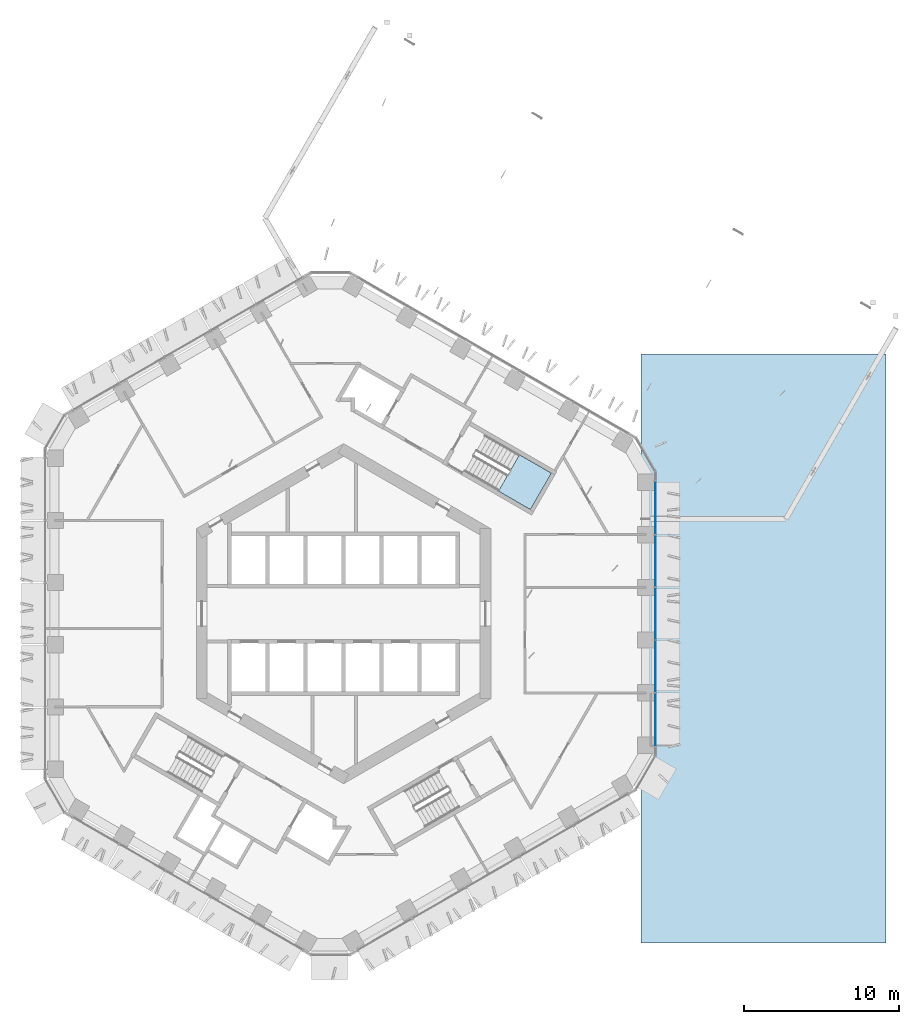
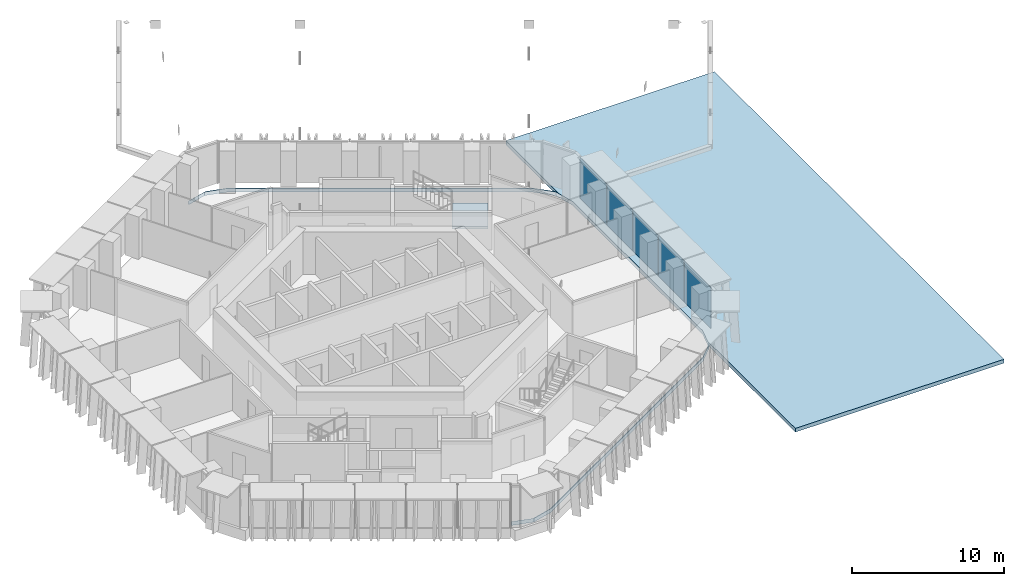
# One storey, part 12 of 25: 5 plates, 2 slabs, 2 elements without a shape of their own.
"""IFC4 building model written with IfcOpenShell, lengths in metres."""

from ifc_helpers import new_model, si_unit, direction, frame, origin, origin_2d, place, context, subcontext, project, spatial, polyline, rectangle, outline, extrude, material, layer, layer_set, type_object, element, aggregate, save


model = new_model("IFC4")

# Units and contexts
model_context = context("Model", 3, precision=1e-05, world=origin(), true_north=direction((0.0, 1.0)))
body_context = subcontext(model_context, "Body", "Model", "MODEL_VIEW")
ifc_project = project(units=[si_unit("LENGTHUNIT", "METRE"), si_unit("AREAUNIT", "SQUARE_METRE"), si_unit("VOLUMEUNIT", "CUBIC_METRE"), si_unit("PLANEANGLEUNIT", "RADIAN"), si_unit("MASSUNIT", "GRAM", prefix="KILO")], contexts=[model_context])

# Site, building, storey
site_placement = place(None, origin())
site = spatial("IfcSite", under=ifc_project, at=site_placement, CompositionType="ELEMENT")
building_placement = place(site_placement, origin())
building = spatial("IfcBuilding", under=site, at=building_placement, Name="Ayvan Gate Tower", CompositionType="ELEMENT")
storey_placement = place(building_placement, frame((0.0, 0.0, 132.5)))
storey = spatial("IfcBuildingStorey", under=building, at=storey_placement, Name="L35", CompositionType="ELEMENT", Elevation=132.5)

# Slab
ifc_material_1 = material(Name="Concrete C40/50", Category="concrete")
ifc_layer_1 = layer(ifc_material_1, 0.300048828125)
ifc_layer_set_1 = layer_set([ifc_layer_1], Name="Concrete C40/50")
slab_type_1 = type_object("IfcSlabType", Name="Roof slab 300", PredefinedType="ROOF", material=ifc_layer_set_1)
slab_1_placement = place(storey_placement, frame((0.0, 0.0, -0.300048828125)))
element("IfcSlab", 1, at=slab_1_placement, inside=storey, type_object=slab_type_1, Name="RF-B2", PredefinedType="ROOF", context=body_context, shape_type="SweptSolid", body=[
    extrude(outline(polyline([(34.985595703125, 16.75), (34.985595703125, -21.25), (19.185546875, -21.25), (19.185546875, -9.722412109375), (19.083740234375, -10.102783203125), (17.985595703125, -11.200927734375), (0.70751953125, -21.176513671875), (-0.79248046875, -21.578369140625), (-2.29248046875, -21.176513671875), (-2.29541015625, -21.1748046875), (-0.867431640625, -21.557373046875), (-0.865478515625, -21.557861328125), (-0.86328125, -21.55810546875), (-0.861328125, -21.55810546875), (-0.859130859375, -21.557861328125), (-0.857177734375, -21.557373046875), (0.642822265625, -21.155517578125), (0.64453125, -21.155029296875), (0.646240234375, -21.154296875), (0.647705078125, -21.153564453125), (17.99560546875, -11.1376953125), (17.9970703125, -11.13671875), (17.99853515625, -11.1357421875), (17.999755859375, -11.134521484375), (19.097900390625, -10.036376953125), (19.09912109375, -10.034912109375), (19.100341796875, -10.033203125), (19.1015625, -10.03125), (19.102294921875, -10.029541015625), (19.10302734375, -10.02734375), (19.5048828125, -8.52734375), (19.50537109375, -8.525634765625), (19.505615234375, -8.52392578125), (19.505615234375, -8.522216796875), (19.505615234375, 8.522216796875), (19.505615234375, 8.52392578125), (19.50537109375, 8.525634765625), (19.5048828125, 8.52734375), (19.10302734375, 10.02734375), (19.102294921875, 10.029541015625), (19.1015625, 10.03125), (19.100341796875, 10.033203125), (19.09912109375, 10.034912109375), (19.097900390625, 10.036376953125), (17.999755859375, 11.134521484375), (17.99853515625, 11.1357421875), (17.9970703125, 11.13671875), (17.99560546875, 11.1376953125), (0.647705078125, 21.153564453125), (0.646240234375, 21.154296875), (0.64453125, 21.155029296875), (0.642822265625, 21.155517578125), (-0.857177734375, 21.557373046875), (-0.859130859375, 21.557861328125), (-0.861328125, 21.55810546875), (-0.86328125, 21.55810546875), (-0.865478515625, 21.557861328125), (-0.867431640625, 21.557373046875), (-2.29541015625, 21.1748046875), (-2.29248046875, 21.176513671875), (-0.79248046875, 21.578369140625), (0.70751953125, 21.176513671875), (17.985595703125, 11.200927734375), (19.083740234375, 10.102783203125), (19.185546875, 9.722412109375), (19.185546875, 16.75), (34.985595703125, 16.75)])), origin(), (0.0, 0.0, 1.0), 0.300048828125),
])

# Stair, slab
stair_type = type_object("IfcStairType", Name="ST-EXIT", PredefinedType="HALF_TURN_STAIR", material=ifc_material_1)
stair_placement = place(storey_placement, origin())
stair = element("IfcStair", 2, at=stair_placement, inside=storey, type_object=stair_type, Name="L35 Exit Stair S1", PredefinedType="HALF_TURN_STAIR")
ifc_layer_2 = layer(ifc_material_1, 0.199951171875)
ifc_layer_set_2 = layer_set([ifc_layer_2], Name="Concrete C40/50")
slab_type_2 = type_object("IfcSlabType", Name="SL-LANDING-200", PredefinedType="LANDING", material=ifc_layer_set_2)
slab_2_placement = place(storey_placement, frame((0.0, 0.0, 1.5)))
slab_2 = element("IfcSlab", 3, at=slab_2_placement, type_object=slab_type_2, Name="STS1 landing 1", PredefinedType="LANDING", context=body_context, shape_type="SweptSolid", body=[
    extrude(outline(polyline([(9.988525390625, 7.91064453125), (12.049560546875, 6.720458984375), (13.404541015625, 9.0673828125), (11.343505859375, 10.257568359375), (9.988525390625, 7.91064453125)])), origin(), (0.0, 0.0, 1.0), 0.199951171875),
])
aggregate(stair, [slab_2])

# Curtain wall, plates
ifc_material_2 = material(Name="Bronze anodised aluminium", Category="aluminium")
ifc_layer_3 = layer(ifc_material_2, 0.199951171875)
ifc_layer_set_3 = layer_set([ifc_layer_3], Name="Bronze anodised aluminium")
curtain_wall_type = type_object("IfcCurtainWallType", Name="Stick curtain wall CW-1", PredefinedType="NOTDEFINED", material=ifc_layer_set_3)
curtain_wall_placement = place(storey_placement, origin())
curtain_wall = element("IfcCurtainWall", 4, at=curtain_wall_placement, inside=storey, type_object=curtain_wall_type, Name="Stick curtain wall CW-1 L35", PredefinedType="NOTDEFINED")
ifc_material_3 = material(Name="Clear low-iron laminated glass", Category="glass")
ifc_layer_4 = layer(ifc_material_3, 0.028076171875)
ifc_layer_set_4 = layer_set([ifc_layer_4], Name="Clear low-iron laminated glass")
plate_type = type_object("IfcPlateType", Name="Stick curtain wall CW-1 glass panel", PredefinedType="CURTAIN_PANEL", material=ifc_layer_set_4)
plate_1_placement = place(storey_placement, frame((20.110595703125, -6.8486328125, 0.0), z_axis=(0.0, 0.0, 1.0), x_axis=(0.0, 1.0, 0.0)))
plate_1 = element("IfcPlate", 5, at=plate_1_placement, type_object=plate_type, Name="CW-1 glass panel 1", PredefinedType="CURTAIN_PANEL", context=body_context, shape_type="SweptSolid", body=[
    extrude(rectangle(XDim=3.451904296875, YDim=0.028076171875, at=origin_2d()), origin(), (0.0, 0.0, 1.0), 3.280029296875),
])
plate_2_placement = place(storey_placement, frame((20.110595703125, -3.39501953125, 0.0), z_axis=(0.0, 0.0, 1.0), x_axis=(0.0, 1.0, 0.0)))
plate_2 = element("IfcPlate", 6, at=plate_2_placement, type_object=plate_type, Name="CW-1 glass panel 2", PredefinedType="CURTAIN_PANEL", context=body_context, shape_type="SweptSolid", body=[
    extrude(rectangle(XDim=3.3349609375, YDim=0.028076171875, at=origin_2d()), origin(), (0.0, 0.0, 1.0), 3.280029296875),
])
plate_3_placement = place(storey_placement, frame((20.110595703125, 0.0, 0.0), z_axis=(0.0, 0.0, 1.0), x_axis=(0.0, 1.0, 0.0)))
plate_3 = element("IfcPlate", 7, at=plate_3_placement, type_object=plate_type, Name="CW-1 glass panel 3", PredefinedType="CURTAIN_PANEL", context=body_context, shape_type="SweptSolid", body=[
    extrude(rectangle(XDim=3.3349609375, YDim=0.028076171875, at=origin_2d()), origin(), (0.0, 0.0, 1.0), 3.280029296875),
])
plate_4_placement = place(storey_placement, frame((20.110595703125, 3.39501953125, 0.0), z_axis=(0.0, 0.0, 1.0), x_axis=(0.0, 1.0, 0.0)))
plate_4 = element("IfcPlate", 8, at=plate_4_placement, type_object=plate_type, Name="CW-1 glass panel 4", PredefinedType="CURTAIN_PANEL", context=body_context, shape_type="SweptSolid", body=[
    extrude(rectangle(XDim=3.3349609375, YDim=0.028076171875, at=origin_2d()), origin(), (0.0, 0.0, 1.0), 3.280029296875),
])
plate_5_placement = place(storey_placement, frame((20.110595703125, 6.848388671875, 0.0), z_axis=(0.0, 0.0, 1.0), x_axis=(0.0, 1.0, 0.0)))
plate_5 = element("IfcPlate", 9, at=plate_5_placement, type_object=plate_type, Name="CW-1 glass panel 5", PredefinedType="CURTAIN_PANEL", context=body_context, shape_type="SweptSolid", body=[
    extrude(rectangle(XDim=3.4521484375, YDim=0.028076171875, at=origin_2d()), origin(), (0.0, 0.0, 1.0), 3.280029296875),
])
aggregate(curtain_wall, [plate_1, plate_2, plate_3, plate_4, plate_5])

save(model, "model.ifc")
